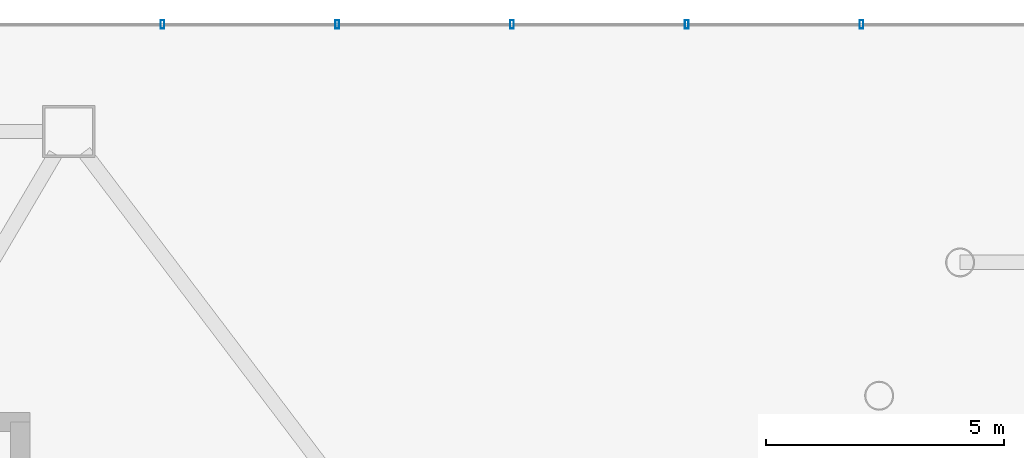
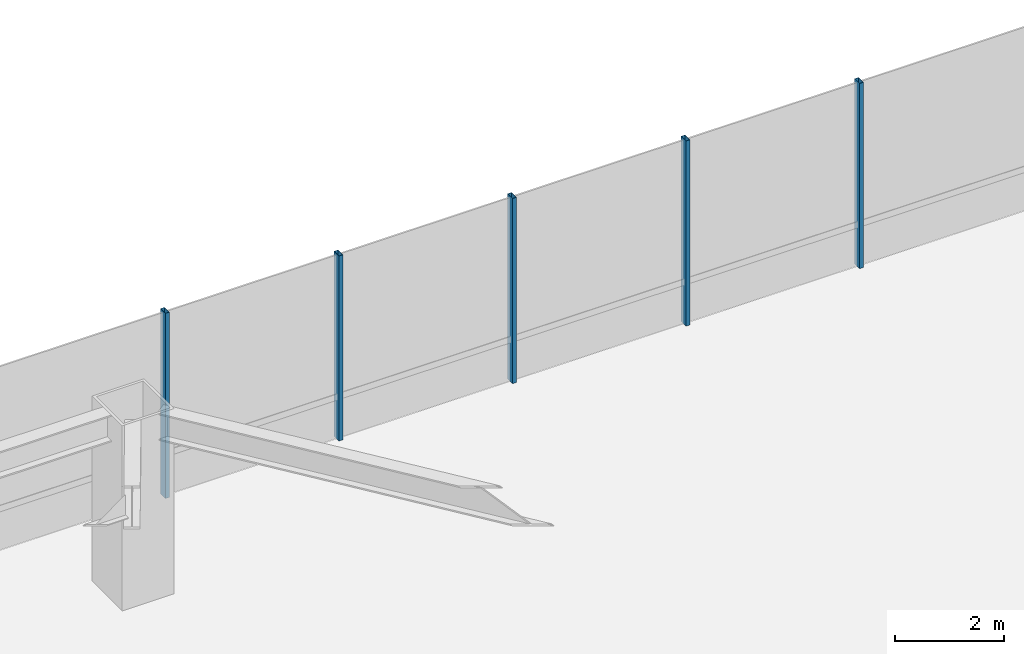
# One storey, part 25 of 37: 5 members, 1 element without a shape of its own.
"""IFC4 building model written with IfcOpenShell, lengths in metres."""

from ifc_helpers import new_model, si_unit, direction, frame, origin, origin_2d, place, context, subcontext, project, spatial, hollow_rectangle, extrude, material, layer, layer_set, material_profile, profile_set, type_object, element, aggregate, save


model = new_model("IFC4")

# Units and contexts
model_context = context("Model", 3, precision=1e-05, world=origin(), true_north=direction((0.0, 1.0)))
body_context = subcontext(model_context, "Body", "Model", "MODEL_VIEW")
ifc_project = project(units=[si_unit("LENGTHUNIT", "METRE"), si_unit("AREAUNIT", "SQUARE_METRE"), si_unit("VOLUMEUNIT", "CUBIC_METRE"), si_unit("PLANEANGLEUNIT", "RADIAN"), si_unit("MASSUNIT", "GRAM", prefix="KILO")], contexts=[model_context])

# Site, building, storey
site_placement = place(None, origin())
site = spatial("IfcSite", under=ifc_project, at=site_placement, CompositionType="ELEMENT")
building_placement = place(site_placement, origin())
building = spatial("IfcBuilding", under=site, at=building_placement, Name="Zarrinselat Tower", CompositionType="ELEMENT")
storey_placement = place(building_placement, frame((0.0, 0.0, 13.93994140625)))
storey = spatial("IfcBuildingStorey", under=building, at=storey_placement, Name="L03", CompositionType="ELEMENT", Elevation=13.93994140625)

# Curtain wall, members
ifc_material_1 = material(Name="Extruded Aluminium Alloy EN AW-6063 T6", Category="aluminium")
ifc_layer = layer(ifc_material_1, 0.2099609375)
ifc_layer_set = layer_set([ifc_layer], Name="Extruded Aluminium Alloy EN AW-6063 T6")
curtain_wall_type = type_object("IfcCurtainWallType", Name="CWS-POD", PredefinedType="NOTDEFINED", material=ifc_layer_set)
curtain_wall_placement = place(storey_placement, origin())
curtain_wall = element("IfcCurtainWall", 1, at=curtain_wall_placement, inside=storey, type_object=curtain_wall_type, Name="L03 Unitised Curtain Wall CW-L03-F5", PredefinedType="NOTDEFINED")
ifc_material_2 = material(Name="Extruded Aluminium Alloy EN AW-6063 T6", Category="aluminium")
ifc_material_profile = material_profile(ifc_material_2, hollow_rectangle(XDim=0.080078125, YDim=0.179931640625, WallThickness=0.0048828125, at=origin_2d()), Name="RHS 180x80x5")
ifc_profile_set = profile_set([ifc_material_profile], Name="Extruded Aluminium Alloy EN AW-6063 T6")
member_type = type_object("IfcMemberType", Name="MEM-CW-MUL", PredefinedType="MULLION", material=ifc_profile_set)
member_1_placement = place(storey_placement, frame((65.929443359375, 51.800048828125, 0.0), z_axis=(0.0, 0.0, 1.0), x_axis=(-1.0, 0.0, 0.0)))
member_1 = element("IfcMember", 2, at=member_1_placement, type_object=member_type, Name="CW-L03-F5 Mullion 1", PredefinedType="MULLION", context=body_context, shape_type="SweptSolid", body=[
    extrude(hollow_rectangle(XDim=0.080078125, YDim=0.179931640625, WallThickness=0.0048828125, at=origin_2d()), origin(), (0.0, 0.0, 1.0), 4.14013671875),
])
member_2_placement = place(storey_placement, frame((62.2587890625, 51.800048828125, 0.0), z_axis=(0.0, 0.0, 1.0), x_axis=(-1.0, 0.0, 0.0)))
member_2 = element("IfcMember", 3, at=member_2_placement, type_object=member_type, Name="CW-L03-F5 Mullion 2", PredefinedType="MULLION", context=body_context, shape_type="SweptSolid", body=[
    extrude(hollow_rectangle(XDim=0.080078125, YDim=0.179931640625, WallThickness=0.0048828125, at=origin_2d()), origin(), (0.0, 0.0, 1.0), 4.14013671875),
])
member_3_placement = place(storey_placement, frame((58.588134765625, 51.800048828125, 0.0), z_axis=(0.0, 0.0, 1.0), x_axis=(-1.0, 0.0, 0.0)))
member_3 = element("IfcMember", 4, at=member_3_placement, type_object=member_type, Name="CW-L03-F5 Mullion 3", PredefinedType="MULLION", context=body_context, shape_type="SweptSolid", body=[
    extrude(hollow_rectangle(XDim=0.080078125, YDim=0.179931640625, WallThickness=0.0048828125, at=origin_2d()), origin(), (0.0, 0.0, 1.0), 4.14013671875),
])
member_4_placement = place(storey_placement, frame((54.91748046875, 51.800048828125, 0.0), z_axis=(0.0, 0.0, 1.0), x_axis=(-1.0, 0.0, 0.0)))
member_4 = element("IfcMember", 5, at=member_4_placement, type_object=member_type, Name="CW-L03-F5 Mullion 4", PredefinedType="MULLION", context=body_context, shape_type="SweptSolid", body=[
    extrude(hollow_rectangle(XDim=0.080078125, YDim=0.179931640625, WallThickness=0.0048828125, at=origin_2d()), origin(), (0.0, 0.0, 1.0), 4.14013671875),
])
member_5_placement = place(storey_placement, frame((51.2470703125, 51.800048828125, 0.0), z_axis=(0.0, 0.0, 1.0), x_axis=(-1.0, 0.0, 0.0)))
member_5 = element("IfcMember", 6, at=member_5_placement, type_object=member_type, Name="CW-L03-F5 Mullion 5", PredefinedType="MULLION", context=body_context, shape_type="SweptSolid", body=[
    extrude(hollow_rectangle(XDim=0.080078125, YDim=0.179931640625, WallThickness=0.0048828125, at=origin_2d()), origin(), (0.0, 0.0, 1.0), 4.14013671875),
])
aggregate(curtain_wall, [member_1, member_2, member_3, member_4, member_5])

save(model, "model.ifc")
